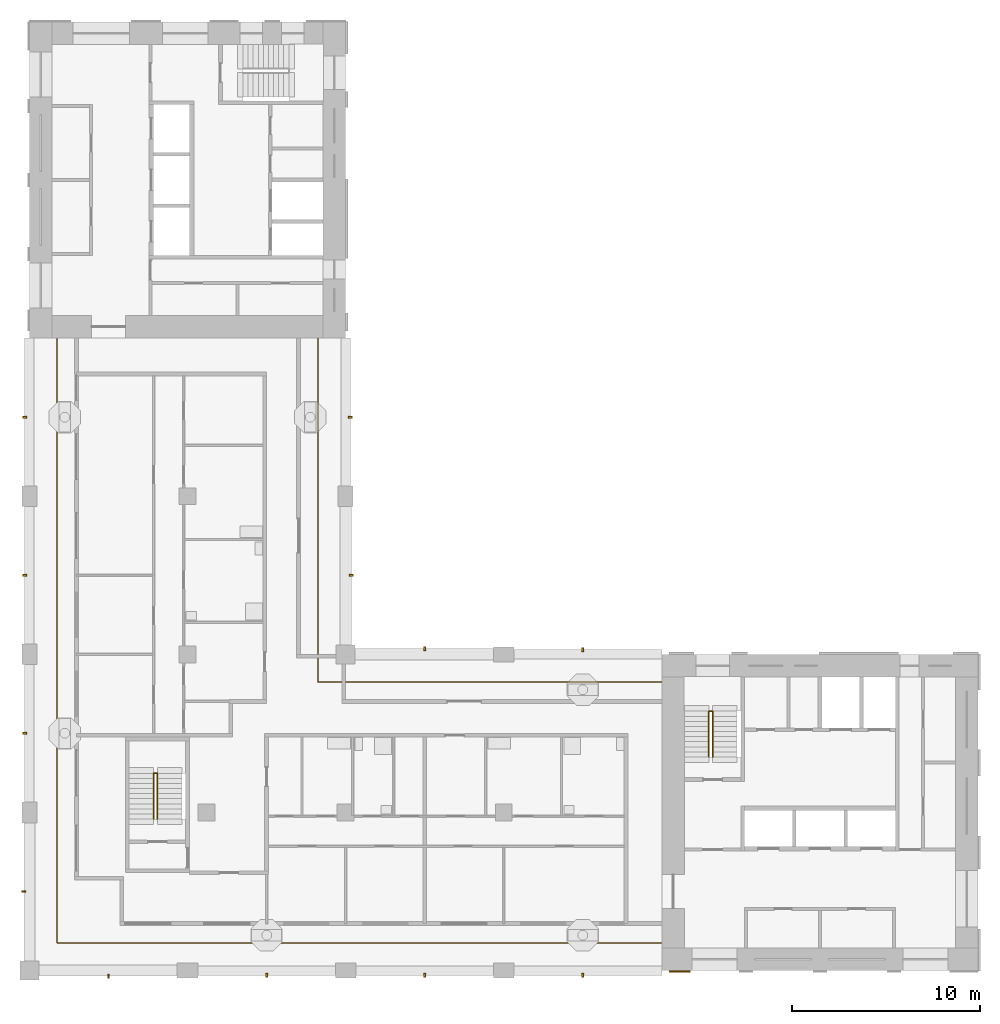
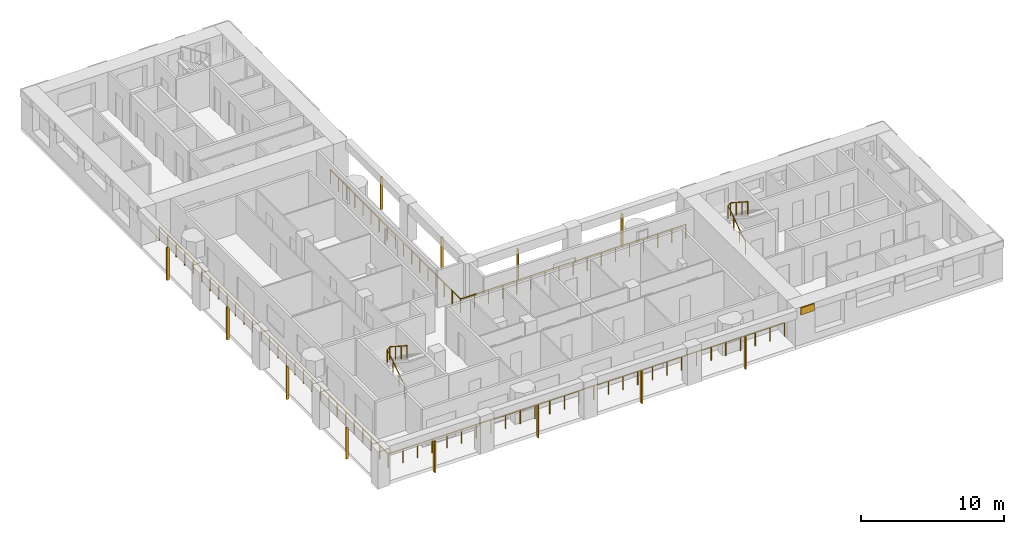
# One storey, part 7 of 11: 13 shading devices, 4 railings.
"""IFC4 building model written with IfcOpenShell, lengths in metres."""

from ifc_helpers import new_model, si_unit, direction, frame, origin, origin_2d, place, context, subcontext, project, spatial, rectangle, circle, extrude, material, layer, layer_set, material_profile, profile_set, type_object, element, save


model = new_model("IFC4")

# Units and contexts
model_context = context("Model", 3, precision=1e-05, world=origin(), true_north=direction((0.0, 1.0)))
body_context = subcontext(model_context, "Body", "Model", "MODEL_VIEW")
ifc_project = project(units=[si_unit("LENGTHUNIT", "METRE"), si_unit("AREAUNIT", "SQUARE_METRE"), si_unit("VOLUMEUNIT", "CUBIC_METRE"), si_unit("PLANEANGLEUNIT", "RADIAN"), si_unit("MASSUNIT", "GRAM", prefix="KILO")], contexts=[model_context])

# Site, building, storey
site_placement = place(None, origin())
site = spatial("IfcSite", under=ifc_project, at=site_placement, CompositionType="ELEMENT")
building_placement = place(site_placement, origin())
building = spatial("IfcBuilding", under=site, at=building_placement, Name="Vermilion Gate Residences", CompositionType="ELEMENT")
storey_placement = place(building_placement, frame((0.0, 0.0, 259.699951171875)))
storey = spatial("IfcBuildingStorey", under=building, at=storey_placement, Name="L68", CompositionType="ELEMENT", Elevation=259.699951171875)

# Railings
ifc_material_1 = material(Name="Stainless steel and toughened glass", Category="steel")
railing_type_1 = type_object("IfcRailingType", Name="LOGGIA GUARD STEEL AND GLASS 1200", PredefinedType="GUARDRAIL", material=ifc_material_1)
railing_1_placement = place(storey_placement, frame((41.97802734375, 23.72509765625, 0.0)))
element("IfcRailing", 1, at=railing_1_placement, inside=storey, type_object=railing_type_1, Name="Loggia guard", PredefinedType="GUARDRAIL", context=body_context, shape_type="SweptSolid", body=[
    extrude(circle(Radius=0.030029296875, at=origin_2d()), frame((0.0, 0.0, 1.169921875), z_axis=(-1.0, 0.0, 0.0), x_axis=(0.0, -1.0, 0.0)), (0.0, 0.0, 1.0), 18.2529296875),
    extrude(circle(Radius=0.030029296875, at=origin_2d()), frame((-18.2529296875, 0.0, 1.169921875), z_axis=(0.0, 1.0, 0.0), x_axis=(-1.0, 0.0, 0.0)), (0.0, 0.0, 1.0), 18.2529296875),
    extrude(circle(Radius=0.02490234375, at=origin_2d()), origin(), (0.0, 0.0, 1.0), 1.139892578125),
    extrude(circle(Radius=0.02490234375, at=origin_2d()), frame((-1.140869140625, 0.0, 0.0)), (0.0, 0.0, 1.0), 1.139892578125),
    extrude(circle(Radius=0.02490234375, at=origin_2d()), frame((-2.28173828125, 0.0, 0.0)), (0.0, 0.0, 1.0), 1.139892578125),
    extrude(circle(Radius=0.02490234375, at=origin_2d()), frame((-3.42236328125, 0.0, 0.0)), (0.0, 0.0, 1.0), 1.139892578125),
    extrude(circle(Radius=0.02490234375, at=origin_2d()), frame((-4.563232421875, 0.0, 0.0)), (0.0, 0.0, 1.0), 1.139892578125),
    extrude(circle(Radius=0.02490234375, at=origin_2d()), frame((-5.7041015625, 0.0, 0.0)), (0.0, 0.0, 1.0), 1.139892578125),
    extrude(circle(Radius=0.02490234375, at=origin_2d()), frame((-6.8447265625, 0.0, 0.0)), (0.0, 0.0, 1.0), 1.139892578125),
    extrude(circle(Radius=0.02490234375, at=origin_2d()), frame((-7.985595703125, 0.0, 0.0)), (0.0, 0.0, 1.0), 1.139892578125),
    extrude(circle(Radius=0.02490234375, at=origin_2d()), frame((-9.12646484375, 0.0, 0.0)), (0.0, 0.0, 1.0), 1.139892578125),
    extrude(circle(Radius=0.02490234375, at=origin_2d()), frame((-10.267333984375, 0.0, 0.0)), (0.0, 0.0, 1.0), 1.139892578125),
    extrude(circle(Radius=0.02490234375, at=origin_2d()), frame((-11.408203125, 0.0, 0.0)), (0.0, 0.0, 1.0), 1.139892578125),
    extrude(circle(Radius=0.02490234375, at=origin_2d()), frame((-12.548828125, 0.0, 0.0)), (0.0, 0.0, 1.0), 1.139892578125),
    extrude(circle(Radius=0.02490234375, at=origin_2d()), frame((-13.689697265625, 0.0, 0.0)), (0.0, 0.0, 1.0), 1.139892578125),
    extrude(circle(Radius=0.02490234375, at=origin_2d()), frame((-14.83056640625, 0.0, 0.0)), (0.0, 0.0, 1.0), 1.139892578125),
    extrude(circle(Radius=0.02490234375, at=origin_2d()), frame((-15.97119140625, 0.0, 0.0)), (0.0, 0.0, 1.0), 1.139892578125),
    extrude(circle(Radius=0.02490234375, at=origin_2d()), frame((-17.112060546875, 0.0, 0.0)), (0.0, 0.0, 1.0), 1.139892578125),
    extrude(circle(Radius=0.02490234375, at=origin_2d()), frame((-18.2529296875, 0.0, 0.0)), (0.0, 0.0, 1.0), 1.139892578125),
    extrude(circle(Radius=0.02490234375, at=origin_2d()), frame((-18.2529296875, 1.140869140625, 0.0)), (0.0, 0.0, 1.0), 1.139892578125),
    extrude(circle(Radius=0.02490234375, at=origin_2d()), frame((-18.2529296875, 2.28173828125, 0.0)), (0.0, 0.0, 1.0), 1.139892578125),
    extrude(circle(Radius=0.02490234375, at=origin_2d()), frame((-18.2529296875, 3.42236328125, 0.0)), (0.0, 0.0, 1.0), 1.139892578125),
    extrude(circle(Radius=0.02490234375, at=origin_2d()), frame((-18.2529296875, 4.563232421875, 0.0)), (0.0, 0.0, 1.0), 1.139892578125),
    extrude(circle(Radius=0.02490234375, at=origin_2d()), frame((-18.2529296875, 5.7041015625, 0.0)), (0.0, 0.0, 1.0), 1.139892578125),
    extrude(circle(Radius=0.02490234375, at=origin_2d()), frame((-18.2529296875, 6.8447265625, 0.0)), (0.0, 0.0, 1.0), 1.139892578125),
    extrude(circle(Radius=0.02490234375, at=origin_2d()), frame((-18.2529296875, 7.985595703125, 0.0)), (0.0, 0.0, 1.0), 1.139892578125),
    extrude(circle(Radius=0.02490234375, at=origin_2d()), frame((-18.2529296875, 9.12646484375, 0.0)), (0.0, 0.0, 1.0), 1.139892578125),
    extrude(circle(Radius=0.02490234375, at=origin_2d()), frame((-18.2529296875, 10.267333984375, 0.0)), (0.0, 0.0, 1.0), 1.139892578125),
    extrude(circle(Radius=0.02490234375, at=origin_2d()), frame((-18.2529296875, 11.408203125, 0.0)), (0.0, 0.0, 1.0), 1.139892578125),
    extrude(circle(Radius=0.02490234375, at=origin_2d()), frame((-18.2529296875, 12.548828125, 0.0)), (0.0, 0.0, 1.0), 1.139892578125),
    extrude(circle(Radius=0.02490234375, at=origin_2d()), frame((-18.2529296875, 13.689697265625, 0.0)), (0.0, 0.0, 1.0), 1.139892578125),
    extrude(circle(Radius=0.02490234375, at=origin_2d()), frame((-18.2529296875, 14.83056640625, 0.0)), (0.0, 0.0, 1.0), 1.139892578125),
    extrude(circle(Radius=0.02490234375, at=origin_2d()), frame((-18.2529296875, 15.97119140625, 0.0)), (0.0, 0.0, 1.0), 1.139892578125),
    extrude(circle(Radius=0.02490234375, at=origin_2d()), frame((-18.2529296875, 17.112060546875, 0.0)), (0.0, 0.0, 1.0), 1.139892578125),
    extrude(circle(Radius=0.02490234375, at=origin_2d()), frame((-18.2529296875, 18.2529296875, 0.0)), (0.0, 0.0, 1.0), 1.139892578125),
])
railing_2_placement = place(storey_placement, frame((9.875, 41.97802734375, 0.0)))
element("IfcRailing", 2, at=railing_2_placement, inside=storey, type_object=railing_type_1, Name="Loggia guard", PredefinedType="GUARDRAIL", context=body_context, shape_type="SweptSolid", body=[
    extrude(circle(Radius=0.030029296875, at=origin_2d()), frame((0.0, 0.0, 1.169921875), z_axis=(0.0, -1.0, 0.0), x_axis=(1.0, 0.0, 0.0)), (0.0, 0.0, 1.0), 32.10302734375),
    extrude(circle(Radius=0.030029296875, at=origin_2d()), frame((0.0, -32.10302734375, 1.169921875), z_axis=(1.0, 0.0, 0.0), x_axis=(0.0, 1.0, 0.0)), (0.0, 0.0, 1.0), 32.10302734375),
    extrude(circle(Radius=0.02490234375, at=origin_2d()), origin(), (0.0, 0.0, 1.0), 1.139892578125),
    extrude(circle(Radius=0.02490234375, at=origin_2d()), frame((0.0, -1.18896484375, 0.0)), (0.0, 0.0, 1.0), 1.139892578125),
    extrude(circle(Radius=0.02490234375, at=origin_2d()), frame((0.0, -2.3779296875, 0.0)), (0.0, 0.0, 1.0), 1.139892578125),
    extrude(circle(Radius=0.02490234375, at=origin_2d()), frame((0.0, -3.56689453125, 0.0)), (0.0, 0.0, 1.0), 1.139892578125),
    extrude(circle(Radius=0.02490234375, at=origin_2d()), frame((0.0, -4.756103515625, 0.0)), (0.0, 0.0, 1.0), 1.139892578125),
    extrude(circle(Radius=0.02490234375, at=origin_2d()), frame((0.0, -5.945068359375, 0.0)), (0.0, 0.0, 1.0), 1.139892578125),
    extrude(circle(Radius=0.02490234375, at=origin_2d()), frame((0.0, -7.134033203125, 0.0)), (0.0, 0.0, 1.0), 1.139892578125),
    extrude(circle(Radius=0.02490234375, at=origin_2d()), frame((0.0, -8.322998046875, 0.0)), (0.0, 0.0, 1.0), 1.139892578125),
    extrude(circle(Radius=0.02490234375, at=origin_2d()), frame((0.0, -9.511962890625, 0.0)), (0.0, 0.0, 1.0), 1.139892578125),
    extrude(circle(Radius=0.02490234375, at=origin_2d()), frame((0.0, -10.700927734375, 0.0)), (0.0, 0.0, 1.0), 1.139892578125),
    extrude(circle(Radius=0.02490234375, at=origin_2d()), frame((0.0, -11.889892578125, 0.0)), (0.0, 0.0, 1.0), 1.139892578125),
    extrude(circle(Radius=0.02490234375, at=origin_2d()), frame((0.0, -13.0791015625, 0.0)), (0.0, 0.0, 1.0), 1.139892578125),
    extrude(circle(Radius=0.02490234375, at=origin_2d()), frame((0.0, -14.26806640625, 0.0)), (0.0, 0.0, 1.0), 1.139892578125),
    extrude(circle(Radius=0.02490234375, at=origin_2d()), frame((0.0, -15.45703125, 0.0)), (0.0, 0.0, 1.0), 1.139892578125),
    extrude(circle(Radius=0.02490234375, at=origin_2d()), frame((0.0, -16.64599609375, 0.0)), (0.0, 0.0, 1.0), 1.139892578125),
    extrude(circle(Radius=0.02490234375, at=origin_2d()), frame((0.0, -17.8349609375, 0.0)), (0.0, 0.0, 1.0), 1.139892578125),
    extrude(circle(Radius=0.02490234375, at=origin_2d()), frame((0.0, -19.02392578125, 0.0)), (0.0, 0.0, 1.0), 1.139892578125),
    extrude(circle(Radius=0.02490234375, at=origin_2d()), frame((0.0, -20.213134765625, 0.0)), (0.0, 0.0, 1.0), 1.139892578125),
    extrude(circle(Radius=0.02490234375, at=origin_2d()), frame((0.0, -21.402099609375, 0.0)), (0.0, 0.0, 1.0), 1.139892578125),
    extrude(circle(Radius=0.02490234375, at=origin_2d()), frame((0.0, -22.591064453125, 0.0)), (0.0, 0.0, 1.0), 1.139892578125),
    extrude(circle(Radius=0.02490234375, at=origin_2d()), frame((0.0, -23.780029296875, 0.0)), (0.0, 0.0, 1.0), 1.139892578125),
    extrude(circle(Radius=0.02490234375, at=origin_2d()), frame((0.0, -24.968994140625, 0.0)), (0.0, 0.0, 1.0), 1.139892578125),
    extrude(circle(Radius=0.02490234375, at=origin_2d()), frame((0.0, -26.157958984375, 0.0)), (0.0, 0.0, 1.0), 1.139892578125),
    extrude(circle(Radius=0.02490234375, at=origin_2d()), frame((0.0, -27.346923828125, 0.0)), (0.0, 0.0, 1.0), 1.139892578125),
    extrude(circle(Radius=0.02490234375, at=origin_2d()), frame((0.0, -28.5361328125, 0.0)), (0.0, 0.0, 1.0), 1.139892578125),
    extrude(circle(Radius=0.02490234375, at=origin_2d()), frame((0.0, -29.72509765625, 0.0)), (0.0, 0.0, 1.0), 1.139892578125),
    extrude(circle(Radius=0.02490234375, at=origin_2d()), frame((0.0, -30.9140625, 0.0)), (0.0, 0.0, 1.0), 1.139892578125),
    extrude(circle(Radius=0.02490234375, at=origin_2d()), frame((0.0, -32.10302734375, 0.0)), (0.0, 0.0, 1.0), 1.139892578125),
    extrude(circle(Radius=0.02490234375, at=origin_2d()), frame((1.18896484375, -32.10302734375, 0.0)), (0.0, 0.0, 1.0), 1.139892578125),
    extrude(circle(Radius=0.02490234375, at=origin_2d()), frame((2.3779296875, -32.10302734375, 0.0)), (0.0, 0.0, 1.0), 1.139892578125),
    extrude(circle(Radius=0.02490234375, at=origin_2d()), frame((3.56689453125, -32.10302734375, 0.0)), (0.0, 0.0, 1.0), 1.139892578125),
    extrude(circle(Radius=0.02490234375, at=origin_2d()), frame((4.756103515625, -32.10302734375, 0.0)), (0.0, 0.0, 1.0), 1.139892578125),
    extrude(circle(Radius=0.02490234375, at=origin_2d()), frame((5.945068359375, -32.10302734375, 0.0)), (0.0, 0.0, 1.0), 1.139892578125),
    extrude(circle(Radius=0.02490234375, at=origin_2d()), frame((7.134033203125, -32.10302734375, 0.0)), (0.0, 0.0, 1.0), 1.139892578125),
    extrude(circle(Radius=0.02490234375, at=origin_2d()), frame((8.322998046875, -32.10302734375, 0.0)), (0.0, 0.0, 1.0), 1.139892578125),
    extrude(circle(Radius=0.02490234375, at=origin_2d()), frame((9.511962890625, -32.10302734375, 0.0)), (0.0, 0.0, 1.0), 1.139892578125),
    extrude(circle(Radius=0.02490234375, at=origin_2d()), frame((10.700927734375, -32.10302734375, 0.0)), (0.0, 0.0, 1.0), 1.139892578125),
    extrude(circle(Radius=0.02490234375, at=origin_2d()), frame((11.889892578125, -32.10302734375, 0.0)), (0.0, 0.0, 1.0), 1.139892578125),
    extrude(circle(Radius=0.02490234375, at=origin_2d()), frame((13.0791015625, -32.10302734375, 0.0)), (0.0, 0.0, 1.0), 1.139892578125),
    extrude(circle(Radius=0.02490234375, at=origin_2d()), frame((14.26806640625, -32.10302734375, 0.0)), (0.0, 0.0, 1.0), 1.139892578125),
    extrude(circle(Radius=0.02490234375, at=origin_2d()), frame((15.45703125, -32.10302734375, 0.0)), (0.0, 0.0, 1.0), 1.139892578125),
    extrude(circle(Radius=0.02490234375, at=origin_2d()), frame((16.64599609375, -32.10302734375, 0.0)), (0.0, 0.0, 1.0), 1.139892578125),
    extrude(circle(Radius=0.02490234375, at=origin_2d()), frame((17.8349609375, -32.10302734375, 0.0)), (0.0, 0.0, 1.0), 1.139892578125),
    extrude(circle(Radius=0.02490234375, at=origin_2d()), frame((19.02392578125, -32.10302734375, 0.0)), (0.0, 0.0, 1.0), 1.139892578125),
    extrude(circle(Radius=0.02490234375, at=origin_2d()), frame((20.213134765625, -32.10302734375, 0.0)), (0.0, 0.0, 1.0), 1.139892578125),
    extrude(circle(Radius=0.02490234375, at=origin_2d()), frame((21.402099609375, -32.10302734375, 0.0)), (0.0, 0.0, 1.0), 1.139892578125),
    extrude(circle(Radius=0.02490234375, at=origin_2d()), frame((22.591064453125, -32.10302734375, 0.0)), (0.0, 0.0, 1.0), 1.139892578125),
    extrude(circle(Radius=0.02490234375, at=origin_2d()), frame((23.780029296875, -32.10302734375, 0.0)), (0.0, 0.0, 1.0), 1.139892578125),
    extrude(circle(Radius=0.02490234375, at=origin_2d()), frame((24.968994140625, -32.10302734375, 0.0)), (0.0, 0.0, 1.0), 1.139892578125),
    extrude(circle(Radius=0.02490234375, at=origin_2d()), frame((26.157958984375, -32.10302734375, 0.0)), (0.0, 0.0, 1.0), 1.139892578125),
    extrude(circle(Radius=0.02490234375, at=origin_2d()), frame((27.346923828125, -32.10302734375, 0.0)), (0.0, 0.0, 1.0), 1.139892578125),
    extrude(circle(Radius=0.02490234375, at=origin_2d()), frame((28.5361328125, -32.10302734375, 0.0)), (0.0, 0.0, 1.0), 1.139892578125),
    extrude(circle(Radius=0.02490234375, at=origin_2d()), frame((29.72509765625, -32.10302734375, 0.0)), (0.0, 0.0, 1.0), 1.139892578125),
    extrude(circle(Radius=0.02490234375, at=origin_2d()), frame((30.9140625, -32.10302734375, 0.0)), (0.0, 0.0, 1.0), 1.139892578125),
    extrude(circle(Radius=0.02490234375, at=origin_2d()), frame((32.10302734375, -32.10302734375, 0.0)), (0.0, 0.0, 1.0), 1.139892578125),
])
ifc_material_2 = material(Name="Steel S355", Category="steel")
railing_type_2 = type_object("IfcRailingType", Name="STAIR GUARD 1100 STEEL", PredefinedType="GUARDRAIL", material=ifc_material_2)
for number, where, name in (
    (3, (44.5, 19.75, 0.175048828125), "Stair well guard STA1-68"),
    (4, (15.0, 16.449951171875, 0.175048828125), "Stair well guard STC1-68"),
):
    element("IfcRailing", number, at=place(storey_placement, frame(where)), inside=storey, type_object=railing_type_2, Name=name, PredefinedType="GUARDRAIL", context=body_context, shape_type="SweptSolid", body=[
        extrude(circle(Radius=0.02392578125, at=origin_2d()), frame((0.0, 0.0, 1.076171875), z_axis=(0.0, 0.839153699163, 0.543894354798), x_axis=(-1.0, 0.0, 0.0)), (0.0, 0.0, 1.0), 2.895751953125),
        extrude(circle(Radius=0.02392578125, at=origin_2d()), frame((0.0, 2.429931640625, 2.65087890625), z_axis=(0.752405939678, 0.0, 0.658699705433), x_axis=(0.0, 1.0, 0.0)), (0.0, 0.0, 1.0), 0.265869140625),
        extrude(circle(Radius=0.02392578125, at=origin_2d()), frame((0.199951171875, 2.429931640625, 2.826171875), z_axis=(0.0, -0.839153699163, 0.543894354798), x_axis=(1.0, 0.0, 0.0)), (0.0, 0.0, 1.0), 2.895751953125),
        extrude(circle(Radius=0.02099609375, at=origin_2d()), origin(), (0.0, 0.0, 1.0), 1.052001953125),
        extrude(circle(Radius=0.02099609375, at=origin_2d()), frame((0.0, 0.81005859375, 0.52490234375)), (0.0, 0.0, 1.0), 1.052001953125),
        extrude(circle(Radius=0.02099609375, at=origin_2d()), frame((0.0, 1.619873046875, 1.050048828125)), (0.0, 0.0, 1.0), 1.052001953125),
        extrude(circle(Radius=0.02099609375, at=origin_2d()), frame((0.0, 2.429931640625, 1.574951171875)), (0.0, 0.0, 1.0), 1.052001953125),
        extrude(circle(Radius=0.02099609375, at=origin_2d()), frame((0.199951171875, 2.429931640625, 1.75)), (0.0, 0.0, 1.0), 1.052001953125),
        extrude(circle(Radius=0.02099609375, at=origin_2d()), frame((0.199951171875, 1.619873046875, 2.27490234375)), (0.0, 0.0, 1.0), 1.052001953125),
        extrude(circle(Radius=0.02099609375, at=origin_2d()), frame((0.199951171875, 0.81005859375, 2.800048828125)), (0.0, 0.0, 1.0), 1.052001953125),
        extrude(circle(Radius=0.02099609375, at=origin_2d()), frame((0.199951171875, 0.0, 3.324951171875)), (0.0, 0.0, 1.0), 1.052001953125),
    ])

# Shading devices
ifc_material_3 = material(Name="Extruded terracotta", Category="masonry")
ifc_material_profile = material_profile(ifc_material_3, rectangle(XDim=0.199951171875, YDim=0.10009765625, at=origin_2d()), Name="BAGUETTE 100 X 200")
ifc_profile_set = profile_set([ifc_material_profile], Name="Extruded terracotta")
shading_device_type_1 = type_object("IfcShadingDeviceType", Name="TERRACOTTA BAGUETTE 100 X 200", PredefinedType="JALOUSIE", material=ifc_profile_set)
shading_device_1_placement = place(storey_placement, frame((12.60009765625, 8.10009765625, -0.280029296875), z_axis=(0.0, 0.0, 1.0), x_axis=(0.0, 1.0, 0.0)))
element("IfcShadingDevice", 5, at=shading_device_1_placement, inside=storey, type_object=shading_device_type_1, Name="BAGUETTE", PredefinedType="JALOUSIE", context=body_context, shape_type="SweptSolid", body=[
    extrude(rectangle(XDim=0.199951171875, YDim=0.10009765625, at=origin_2d()), origin(), (0.0, 0.0, 1.0), 2.7001953125),
])
for number, where, z_axis, x_axis, name in (
    (6, (21.0, 8.14990234375, -0.280029296875), (0.0, 0.0, 1.0), (0.0, 1.0, 0.0), "BAGUETTE"),
    (7, (29.39990234375, 8.14990234375, -0.280029296875), (0.0, 0.0, 1.0), (0.0, 1.0, 0.0), "BAGUETTE"),
    (8, (37.800048828125, 8.14990234375, -0.280029296875), (0.0, 0.0, 1.0), (0.0, 1.0, 0.0), "BAGUETTE"),
):
    element("IfcShadingDevice", number, at=place(storey_placement, frame(where, z_axis=z_axis, x_axis=x_axis)), inside=storey, type_object=shading_device_type_1, Name=name, PredefinedType="JALOUSIE", context=body_context, shape_type="SweptSolid", body=[
        extrude(rectangle(XDim=0.199951171875, YDim=0.10009765625, at=origin_2d()), origin(), (0.0, 0.0, 1.0), 2.800048828125),
    ])
shading_device_2_placement = place(storey_placement, frame((29.39990234375, 25.5, -0.280029296875), z_axis=(0.0, 0.0, 1.0), x_axis=(0.0, -1.0, 0.0)))
element("IfcShadingDevice", 9, at=shading_device_2_placement, inside=storey, type_object=shading_device_type_1, Name="BAGUETTE", PredefinedType="JALOUSIE", context=body_context, shape_type="SweptSolid", body=[
    extrude(rectangle(XDim=0.199951171875, YDim=0.10009765625, at=origin_2d()), origin(), (0.0, 0.0, 1.0), 2.7001953125),
])
shading_device_3_placement = place(storey_placement, frame((37.800048828125, 25.449951171875, -0.280029296875), z_axis=(0.0, 0.0, 1.0), x_axis=(0.0, -1.0, 0.0)))
element("IfcShadingDevice", 10, at=shading_device_3_placement, inside=storey, type_object=shading_device_type_1, Name="BAGUETTE", PredefinedType="JALOUSIE", context=body_context, shape_type="SweptSolid", body=[
    extrude(rectangle(XDim=0.199951171875, YDim=0.10009765625, at=origin_2d()), origin(), (0.0, 0.0, 1.0), 2.800048828125),
])
shading_device_4_placement = place(storey_placement, frame((25.5, 29.39990234375, -0.280029296875), z_axis=(0.0, 0.0, 1.0), x_axis=(-1.0, 0.0, 0.0)))
element("IfcShadingDevice", 11, at=shading_device_4_placement, inside=storey, type_object=shading_device_type_1, Name="BAGUETTE", PredefinedType="JALOUSIE", context=body_context, shape_type="SweptSolid", body=[
    extrude(rectangle(XDim=0.199951171875, YDim=0.10009765625, at=origin_2d()), origin(), (0.0, 0.0, 1.0), 2.7001953125),
])
shading_device_5_placement = place(storey_placement, frame((25.449951171875, 37.800048828125, -0.280029296875), z_axis=(0.0, 0.0, 1.0), x_axis=(-1.0, 0.0, 0.0)))
element("IfcShadingDevice", 12, at=shading_device_5_placement, inside=storey, type_object=shading_device_type_1, Name="BAGUETTE", PredefinedType="JALOUSIE", context=body_context, shape_type="SweptSolid", body=[
    extrude(rectangle(XDim=0.199951171875, YDim=0.10009765625, at=origin_2d()), origin(), (0.0, 0.0, 1.0), 2.800048828125),
])
shading_device_6_placement = place(storey_placement, frame((8.10009765625, 12.60009765625, -0.280029296875), z_axis=(0.0, 0.0, 1.0), x_axis=(1.0, 0.0, 0.0)))
element("IfcShadingDevice", 13, at=shading_device_6_placement, inside=storey, type_object=shading_device_type_1, Name="BAGUETTE", PredefinedType="JALOUSIE", context=body_context, shape_type="SweptSolid", body=[
    extrude(rectangle(XDim=0.199951171875, YDim=0.10009765625, at=origin_2d()), origin(), (0.0, 0.0, 1.0), 2.7001953125),
])
for number, where, z_axis, x_axis, name in (
    (14, (8.14990234375, 21.0, -0.280029296875), (0.0, 0.0, 1.0), (1.0, 0.0, 0.0), "BAGUETTE"),
    (15, (8.14990234375, 29.39990234375, -0.280029296875), (0.0, 0.0, 1.0), (1.0, 0.0, 0.0), "BAGUETTE"),
    (16, (8.14990234375, 37.800048828125, -0.280029296875), (0.0, 0.0, 1.0), (1.0, 0.0, 0.0), "BAGUETTE"),
):
    element("IfcShadingDevice", number, at=place(storey_placement, frame(where, z_axis=z_axis, x_axis=x_axis)), inside=storey, type_object=shading_device_type_1, Name=name, PredefinedType="JALOUSIE", context=body_context, shape_type="SweptSolid", body=[
        extrude(rectangle(XDim=0.199951171875, YDim=0.10009765625, at=origin_2d()), origin(), (0.0, 0.0, 1.0), 2.800048828125),
    ])
ifc_material_4 = material(Name="Extruded terracotta", Category="masonry")
ifc_layer = layer(ifc_material_4, 0.10009765625)
ifc_layer_set = layer_set([ifc_layer], Name="TERRACOTTA SPANDREL BAND 600 X 100")
shading_device_type_2 = type_object("IfcShadingDeviceType", Name="TERRACOTTA SPANDREL BAND 600 X 100", PredefinedType="USERDEFINED", material=ifc_layer_set)
shading_device_7_placement = place(storey_placement, frame((42.949951171875, 8.35009765625, 2.6201171875), z_axis=(0.0, 0.0, 1.0), x_axis=(1.0, 0.0, 0.0)))
element("IfcShadingDevice", 17, at=shading_device_7_placement, inside=storey, type_object=shading_device_type_2, Name="SPANDREL BAND", ObjectType="BAND", PredefinedType="USERDEFINED", context=body_context, shape_type="SweptSolid", body=[
    extrude(rectangle(XDim=1.10009765625, YDim=0.10009765625, at=origin_2d()), origin(), (0.0, 0.0, 1.0), 0.60009765625),
])

save(model, "model.ifc")
